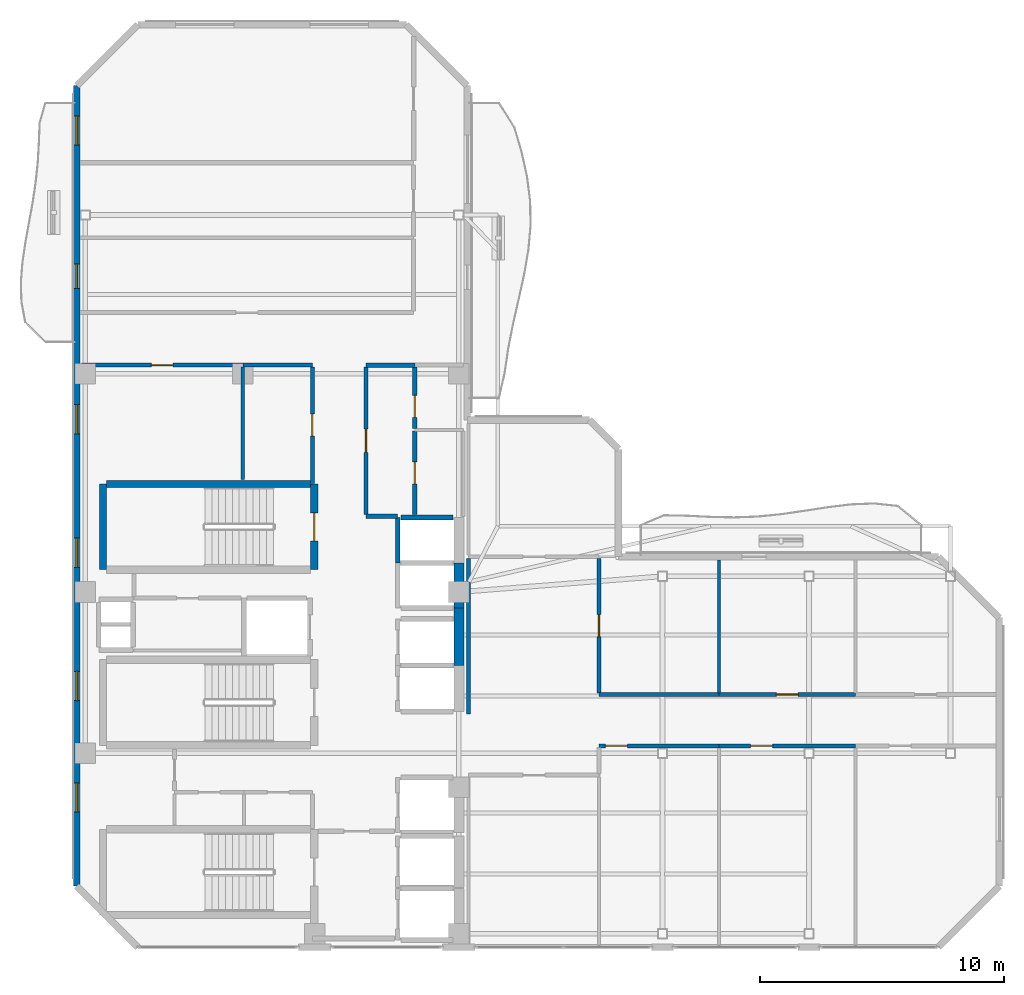
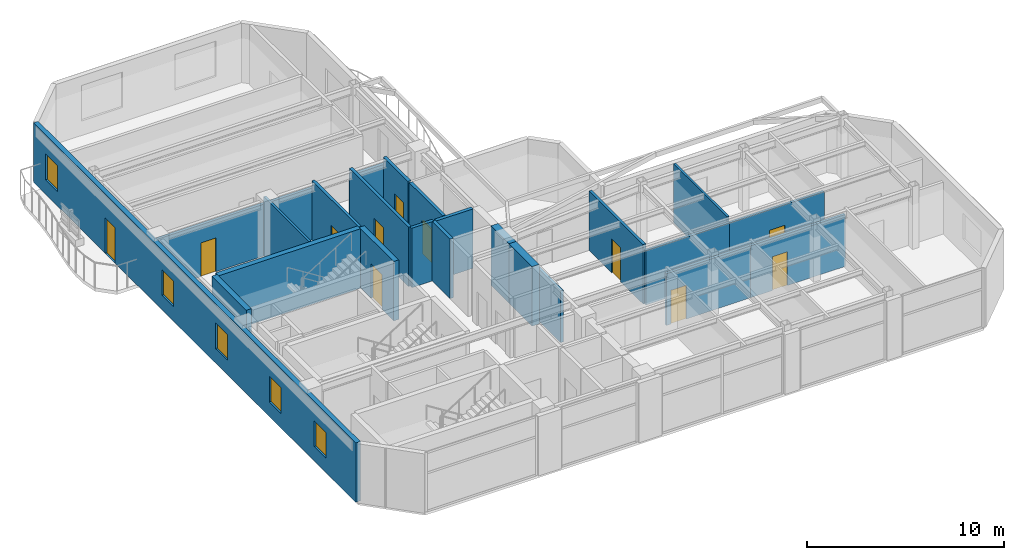
# One storey, part 10 of 15: 24 walls, 11 doors, 5 windows, 16 openings.
"""IFC4 building model written with IfcOpenShell, lengths in metres."""

from ifc_helpers import new_model, si_unit, direction, frame, frame_2d, origin, place, context, subcontext, project, spatial, rectangle, extrude, material, layer, layer_set, type_object, element, fill, save


model = new_model("IFC4")

# Units and contexts
model_context = context("Model", 3, precision=1e-05, world=origin(), true_north=direction((0.0, 1.0)))
body_context = subcontext(model_context, "Body", "Model", "MODEL_VIEW")
ifc_project = project(units=[si_unit("LENGTHUNIT", "METRE"), si_unit("AREAUNIT", "SQUARE_METRE"), si_unit("VOLUMEUNIT", "CUBIC_METRE"), si_unit("PLANEANGLEUNIT", "RADIAN"), si_unit("MASSUNIT", "GRAM", prefix="KILO")], contexts=[model_context])

# Site, building, storey
site_placement = place(None, origin())
site = spatial("IfcSite", under=ifc_project, at=site_placement, CompositionType="ELEMENT")
building_placement = place(site_placement, origin())
building = spatial("IfcBuilding", under=site, at=building_placement, Name="Mawjaban Terraces University", CompositionType="ELEMENT")
storey_placement = place(building_placement, frame((0.0, 0.0, 295.0)))
storey = spatial("IfcBuildingStorey", under=building, at=storey_placement, Name="L72", CompositionType="ELEMENT", Elevation=295.0)

# Walls
ifc_material_1 = material(Name="Acoustic masonry blockwork", Category="masonry")
ifc_layer_1 = layer(ifc_material_1, 0.179931640625)
ifc_layer_set_1 = layer_set([ifc_layer_1], Name="Acoustic masonry blockwork")
wall_type_1 = type_object("IfcWallType", Name="AcousticStudioWall_180", PredefinedType="PARTITIONING", material=ifc_layer_set_1)
wall_1_placement = place(storey_placement, frame((33.85009765625, 17.64990234375, 0.0), z_axis=(0.0, 0.0, 1.0), x_axis=(1.0, 0.0, 0.0)))
element("IfcWall", 1, at=wall_1_placement, inside=storey, type_object=wall_type_1, Name="L72 Graduate Research Collaboration Studio Partition 8", PredefinedType="PARTITIONING", context=body_context, shape_type="SweptSolid", body=[
    extrude(rectangle(XDim=1.2998046875, YDim=0.179931640625, at=frame_2d((0.64990234375, 0.0))), origin(), (0.0, 0.0, 1.0), 3.68994140625),
])
wall_2_placement = place(storey_placement, frame((35.85009765625, 23.85009765625, 0.0), z_axis=(0.0, 0.0, 1.0), x_axis=(-1.0, 0.0, 0.0)))
element("IfcWall", 2, at=wall_2_placement, inside=storey, type_object=wall_type_1, Name="L72 Graduate Research Collaboration Studio Partition 14", PredefinedType="PARTITIONING", context=body_context, shape_type="SweptSolid", body=[
    extrude(rectangle(XDim=2.0, YDim=0.179931640625, at=frame_2d((1.0, 0.0))), origin(), (0.0, 0.0, 1.0), 3.220947265625),
])

# Wall, opening, door
wall_3_placement = place(storey_placement, frame((33.85009765625, 17.735107421875, 0.0), z_axis=(0.0, 0.0, 1.0), x_axis=(0.0, 1.0, 0.0)))
wall_3 = element("IfcWall", 3, at=wall_3_placement, inside=storey, type_object=wall_type_1, Name="L72 Core North Lift Lobby Partition 31", PredefinedType="PARTITIONING", context=body_context, shape_type="SweptSolid", body=[
    extrude(rectangle(XDim=6.02978515625, YDim=0.179931640625, at=frame_2d((3.014892578125, 0.0))), origin(), (0.0, 0.0, 1.0), 3.68994140625),
])
opening_1_placement = place(wall_3_placement, frame((2.5400390625, 0.0, 0.0)))
opening_1 = element("IfcOpeningElement", 4, at=opening_1_placement, cuts=wall_3, Name="Opening ID-095", PredefinedType="OPENING", context=body_context, shape_type="SweptSolid", body=[
    extrude(rectangle(XDim=0.949951171875, YDim=2.10009765625, at=frame_2d((0.47509765625, 1.050048828125))), frame((0.0, 0.099853515625, 0.0), z_axis=(0.0, -1.0, 0.0), x_axis=(1.0, 0.0, 0.0)), (0.0, 0.0, 1.0), 0.199951171875),
])
ifc_material_2 = material(Name="Powder-coated steel frame and solid acoustic timber leaf", Category="steel")
door_type_1 = type_object("IfcDoorType", Name="StudioDoor_950x2100", OperationType="NOTDEFINED", PredefinedType="DOOR", material=ifc_material_2)
door_1_placement = place(opening_1_placement, origin())
door_1 = element("IfcDoor", 5, at=door_1_placement, inside=storey, type_object=door_type_1, Name="L72 Graduate Research Collaboration Studio Door", OperationType="SINGLE_SWING_RIGHT", OverallHeight=2.10009765625, OverallWidth=0.949951171875, PredefinedType="DOOR", context=body_context, shape_type="SweptSolid", body=[
    extrude(rectangle(XDim=0.949951171875, YDim=2.10009765625, at=frame_2d((0.47509765625, 1.050048828125))), frame((0.0, 0.02490234375, 0.0), z_axis=(0.0, -1.0, 0.0), x_axis=(1.0, 0.0, 0.0)), (0.0, 0.0, 1.0), 0.050048828125),
])
fill(opening_1, door_1)

wall_4_placement = place(storey_placement, frame((35.85009765625, 17.72998046875, 0.0), z_axis=(0.0, 0.0, 1.0), x_axis=(0.0, 1.0, 0.0)))
wall_4 = element("IfcWall", 6, at=wall_4_placement, inside=storey, type_object=wall_type_1, Name="L72 Graduate Research Collaboration Studio Partition 35", PredefinedType="PARTITIONING", context=body_context, shape_type="SweptSolid", body=[
    extrude(rectangle(XDim=3.412109375, YDim=0.179931640625, at=frame_2d((1.7060546875, 0.0))), origin(), (0.0, 0.0, 1.0), 3.68994140625),
])
opening_2_placement = place(wall_4_placement, frame((1.256103515625, 0.0, 0.0)))
opening_2 = element("IfcOpeningElement", 7, at=opening_2_placement, cuts=wall_4, Name="Opening ID-090", PredefinedType="OPENING", context=body_context, shape_type="SweptSolid", body=[
    extrude(rectangle(XDim=0.89990234375, YDim=2.10009765625, at=frame_2d((0.449951171875, 1.050048828125))), frame((0.0, 0.099853515625, 0.0), z_axis=(0.0, -1.0, 0.0), x_axis=(1.0, 0.0, 0.0)), (0.0, 0.0, 1.0), 0.199951171875),
])
door_type_2 = type_object("IfcDoorType", Name="OfficeDoor_900x2100", OperationType="NOTDEFINED", PredefinedType="DOOR", material=ifc_material_2)
door_2_placement = place(opening_2_placement, origin())
door_2 = element("IfcDoor", 8, at=door_2_placement, inside=storey, type_object=door_type_2, Name="L72 Research Instrument Store Door", OperationType="SINGLE_SWING_RIGHT", OverallHeight=2.10009765625, OverallWidth=0.89990234375, PredefinedType="DOOR", context=body_context, shape_type="SweptSolid", body=[
    extrude(rectangle(XDim=0.89990234375, YDim=2.10009765625, at=frame_2d((0.449951171875, 1.050048828125))), frame((0.0, 0.02490234375, 0.0), z_axis=(0.0, -1.0, 0.0), x_axis=(1.0, 0.0, 0.0)), (0.0, 0.0, 1.0), 0.050048828125),
])
fill(opening_2, door_2)

wall_5_placement = place(storey_placement, frame((35.85009765625, 21.258056640625, 0.0), z_axis=(0.0, 0.0, 1.0), x_axis=(0.0, 1.0, 0.0)))
wall_5 = element("IfcWall", 9, at=wall_5_placement, inside=storey, type_object=wall_type_1, Name="L72 Graduate Research Collaboration Studio Partition 36", PredefinedType="PARTITIONING", context=body_context, shape_type="SweptSolid", body=[
    extrude(rectangle(XDim=2.5068359375, YDim=0.179931640625, at=frame_2d((1.25341796875, 0.0))), origin(), (0.0, 0.0, 1.0), 3.68994140625),
])
opening_3_placement = place(wall_5_placement, frame((0.4541015625, 0.0, 0.0)))
opening_3 = element("IfcOpeningElement", 10, at=opening_3_placement, cuts=wall_5, Name="Opening ID-090", PredefinedType="OPENING", context=body_context, shape_type="SweptSolid", body=[
    extrude(rectangle(XDim=0.89990234375, YDim=2.10009765625, at=frame_2d((0.449951171875, 1.050048828125))), frame((0.0, 0.099853515625, 0.0), z_axis=(0.0, -1.0, 0.0), x_axis=(1.0, 0.0, 0.0)), (0.0, 0.0, 1.0), 0.199951171875),
])
door_3_placement = place(opening_3_placement, origin())
door_3 = element("IfcDoor", 11, at=door_3_placement, inside=storey, type_object=door_type_2, Name="L72 Graduate Quiet Study Alcove Door", OperationType="SINGLE_SWING_LEFT", OverallHeight=2.10009765625, OverallWidth=0.89990234375, PredefinedType="DOOR", context=body_context, shape_type="SweptSolid", body=[
    extrude(rectangle(XDim=0.89990234375, YDim=2.10009765625, at=frame_2d((0.449951171875, 1.050048828125))), frame((0.0, 0.02490234375, 0.0), z_axis=(0.0, -1.0, 0.0), x_axis=(1.0, 0.0, 0.0)), (0.0, 0.0, 1.0), 0.050048828125),
])
fill(opening_3, door_3)

# Walls
ifc_material_3 = material(Name="Concrete C50/60", Category="concrete")
ifc_layer_2 = layer(ifc_material_3, 0.419921875)
ifc_layer_set_2 = layer_set([ifc_layer_2], Name="Concrete C50/60")
wall_type_2 = type_object("IfcWallType", Name="CoreShearWall_420", PredefinedType="SHEAR", material=ifc_layer_set_2)
wall_6_placement = place(storey_placement, frame((37.659912109375, 11.550048828125, 0.0), z_axis=(0.0, 0.0, 1.0), x_axis=(0.0, 1.0, 0.0)))
element("IfcWall", 12, at=wall_6_placement, inside=storey, type_object=wall_type_2, Name="L72 Lift PL-H2 Hoistway Wall East", PredefinedType="SHEAR", context=body_context, shape_type="SweptSolid", body=[
    extrude(rectangle(XDim=2.349853515625, YDim=0.419921875, at=frame_2d((1.1748046875, 0.0))), origin(), (0.0, 0.0, 1.0), 3.68994140625),
])
wall_7_placement = place(storey_placement, frame((37.659912109375, 13.89990234375, 0.0), z_axis=(0.0, 0.0, 1.0), x_axis=(0.0, 1.0, 0.0)))
element("IfcWall", 13, at=wall_7_placement, inside=storey, type_object=wall_type_2, Name="L72 Lift OL-1 Hoistway Wall East", PredefinedType="SHEAR", context=body_context, shape_type="SweptSolid", body=[
    extrude(rectangle(XDim=1.85009765625, YDim=0.419921875, at=frame_2d((0.925048828125, 0.0))), origin(), (0.0, 0.0, 1.0), 3.68994140625),
])

# Wall, opening, door
ifc_material_4 = material(Name="Fire-rated gypsum board on steel stud", Category="steel")
ifc_layer_3 = layer(ifc_material_4, 0.159912109375)
ifc_layer_set_3 = layer_set([ifc_layer_3], Name="Fire-rated gypsum board on steel stud")
wall_type_3 = type_object("IfcWallType", Name="CorridorPartition_160", PredefinedType="PARTITIONING", material=ifc_layer_set_3)
wall_8_placement = place(storey_placement, frame((28.800048828125, 23.85009765625, 0.0), z_axis=(0.0, 0.0, 1.0), x_axis=(-1.0, 0.0, 0.0)))
wall_8 = element("IfcWall", 14, at=wall_8_placement, inside=storey, type_object=wall_type_3, Name="L72 Female Toilet Partition 4", PredefinedType="PARTITIONING", context=body_context, shape_type="SweptSolid", body=[
    extrude(rectangle(XDim=6.60009765625, YDim=0.159912109375, at=frame_2d((3.300048828125, 0.0))), origin(), (0.0, 0.0, 1.0), 3.220947265625),
])
opening_4_placement = place(wall_8_placement, frame((2.860107421875, 0.0, 0.0)))
opening_4 = element("IfcOpeningElement", 15, at=opening_4_placement, cuts=wall_8, Name="Opening ID-088", PredefinedType="OPENING", context=body_context, shape_type="SweptSolid", body=[
    extrude(rectangle(XDim=0.8798828125, YDim=2.10009765625, at=frame_2d((0.43994140625, 1.050048828125))), frame((0.0, 0.08984375, 0.0), z_axis=(0.0, -1.0, 0.0), x_axis=(1.0, 0.0, 0.0)), (0.0, 0.0, 1.0), 0.179931640625),
])
door_type_3 = type_object("IfcDoorType", Name="ToiletDoor_880x2100", OperationType="NOTDEFINED", PredefinedType="DOOR", material=ifc_material_2)
door_4_placement = place(opening_4_placement, origin())
door_4 = element("IfcDoor", 16, at=door_4_placement, inside=storey, type_object=door_type_3, Name="L72 Female Toilet Door", OperationType="SINGLE_SWING_RIGHT", OverallHeight=2.10009765625, OverallWidth=0.8798828125, PredefinedType="DOOR", context=body_context, shape_type="SweptSolid", body=[
    extrude(rectangle(XDim=0.8798828125, YDim=2.10009765625, at=frame_2d((0.43994140625, 1.050048828125))), frame((0.0, 0.02490234375, 0.0), z_axis=(0.0, -1.0, 0.0), x_axis=(1.0, 0.0, 0.0)), (0.0, 0.0, 1.0), 0.050048828125),
])
fill(opening_4, door_4)

# Wall
wall_9_placement = place(storey_placement, frame((31.64990234375, 23.85009765625, 0.0), z_axis=(0.0, 0.0, 1.0), x_axis=(-1.0, 0.0, 0.0)))
element("IfcWall", 17, at=wall_9_placement, inside=storey, type_object=wall_type_3, Name="L72 Faculty Academic Resource Office Partition 7", PredefinedType="PARTITIONING", context=body_context, shape_type="SweptSolid", body=[
    extrude(rectangle(XDim=2.849853515625, YDim=0.159912109375, at=frame_2d((1.4248046875, 0.0))), origin(), (0.0, 0.0, 1.0), 3.220947265625),
])

# Wall, opening, door
wall_10_placement = place(storey_placement, frame((43.39990234375, 8.25, 0.0), z_axis=(0.0, 0.0, 1.0), x_axis=(1.0, 0.0, 0.0)))
wall_10 = element("IfcWall", 18, at=wall_10_placement, inside=storey, type_object=wall_type_3, Name="L72 Upper East Research Corridor Partition 17", PredefinedType="PARTITIONING", context=body_context, shape_type="SweptSolid", body=[
    extrude(rectangle(XDim=4.920166015625, YDim=0.159912109375, at=frame_2d((2.4599609375, 0.0))), origin(), (0.0, 0.0, 1.0), 3.220947265625),
])
opening_5_placement = place(wall_10_placement, frame((0.260009765625, 0.0, 0.0)))
opening_5 = element("IfcOpeningElement", 19, at=opening_5_placement, cuts=wall_10, Name="Opening ID-090", PredefinedType="OPENING", context=body_context, shape_type="SweptSolid", body=[
    extrude(rectangle(XDim=0.89990234375, YDim=2.10009765625, at=frame_2d((0.449951171875, 1.050048828125))), frame((0.0, 0.08984375, 0.0), z_axis=(0.0, -1.0, 0.0), x_axis=(1.0, 0.0, 0.0)), (0.0, 0.0, 1.0), 0.179931640625),
])
door_5_placement = place(opening_5_placement, origin())
door_5 = element("IfcDoor", 20, at=door_5_placement, inside=storey, type_object=door_type_2, Name="L72 Academic Counseling Room 2 Door", OperationType="SINGLE_SWING_RIGHT", OverallHeight=2.10009765625, OverallWidth=0.89990234375, PredefinedType="DOOR", context=body_context, shape_type="SweptSolid", body=[
    extrude(rectangle(XDim=0.89990234375, YDim=2.10009765625, at=frame_2d((0.449951171875, 1.050048828125))), frame((0.0, 0.02490234375, 0.0), z_axis=(0.0, -1.0, 0.0), x_axis=(1.0, 0.0, 0.0)), (0.0, 0.0, 1.0), 0.050048828125),
])
fill(opening_5, door_5)

wall_11_placement = place(storey_placement, frame((48.320068359375, 8.25, 0.0), z_axis=(0.0, 0.0, 1.0), x_axis=(1.0, 0.0, 0.0)))
wall_11 = element("IfcWall", 21, at=wall_11_placement, inside=storey, type_object=wall_type_3, Name="L72 Upper East Research Corridor Partition 19", PredefinedType="PARTITIONING", context=body_context, shape_type="SweptSolid", body=[
    extrude(rectangle(XDim=5.579833984375, YDim=0.159912109375, at=frame_2d((2.7900390625, 0.0))), origin(), (0.0, 0.0, 1.0), 3.220947265625),
])
opening_6_placement = place(wall_11_placement, frame((1.2900390625, 0.0, 0.0)))
opening_6 = element("IfcOpeningElement", 22, at=opening_6_placement, cuts=wall_11, Name="Opening ID-090", PredefinedType="OPENING", context=body_context, shape_type="SweptSolid", body=[
    extrude(rectangle(XDim=0.89990234375, YDim=2.10009765625, at=frame_2d((0.449951171875, 1.050048828125))), frame((0.0, 0.08984375, 0.0), z_axis=(0.0, -1.0, 0.0), x_axis=(1.0, 0.0, 0.0)), (0.0, 0.0, 1.0), 0.179931640625),
])
door_6_placement = place(opening_6_placement, origin())
door_6 = element("IfcDoor", 23, at=door_6_placement, inside=storey, type_object=door_type_2, Name="L72 Academic Counseling Room 4 Door", OperationType="SINGLE_SWING_RIGHT", OverallHeight=2.10009765625, OverallWidth=0.89990234375, PredefinedType="DOOR", context=body_context, shape_type="SweptSolid", body=[
    extrude(rectangle(XDim=0.89990234375, YDim=2.10009765625, at=frame_2d((0.449951171875, 1.050048828125))), frame((0.0, 0.02490234375, 0.0), z_axis=(0.0, -1.0, 0.0), x_axis=(1.0, 0.0, 0.0)), (0.0, 0.0, 1.0), 0.050048828125),
])
fill(opening_6, door_6)

# Wall
wall_12_placement = place(storey_placement, frame((48.320068359375, 10.35009765625, 0.0), z_axis=(0.0, 0.0, 1.0), x_axis=(-1.0, 0.0, 0.0)))
element("IfcWall", 24, at=wall_12_placement, inside=storey, type_object=wall_type_3, Name="L72 Upper East Research Corridor Partition 20", PredefinedType="PARTITIONING", context=body_context, shape_type="SweptSolid", body=[
    extrude(rectangle(XDim=4.920166015625, YDim=0.159912109375, at=frame_2d((2.4599609375, 0.0))), origin(), (0.0, 0.0, 1.0), 3.3720703125),
])

# Wall, opening, door
wall_13_placement = place(storey_placement, frame((53.89990234375, 10.35009765625, 0.0), z_axis=(0.0, 0.0, 1.0), x_axis=(-1.0, 0.0, 0.0)))
wall_13 = element("IfcWall", 25, at=wall_13_placement, inside=storey, type_object=wall_type_3, Name="L72 Upper East Research Corridor Partition 22", PredefinedType="PARTITIONING", context=body_context, shape_type="SweptSolid", body=[
    extrude(rectangle(XDim=5.579833984375, YDim=0.159912109375, at=frame_2d((2.7900390625, 0.0))), origin(), (0.0, 0.0, 1.0), 3.3720703125),
])
opening_7_placement = place(wall_13_placement, frame((2.340087890625, 0.0, 0.0)))
opening_7 = element("IfcOpeningElement", 26, at=opening_7_placement, cuts=wall_13, Name="Opening ID-090", PredefinedType="OPENING", context=body_context, shape_type="SweptSolid", body=[
    extrude(rectangle(XDim=0.89990234375, YDim=2.10009765625, at=frame_2d((0.449951171875, 1.050048828125))), frame((0.0, 0.08984375, 0.0), z_axis=(0.0, -1.0, 0.0), x_axis=(1.0, 0.0, 0.0)), (0.0, 0.0, 1.0), 0.179931640625),
])
door_7_placement = place(opening_7_placement, origin())
door_7 = element("IfcDoor", 27, at=door_7_placement, inside=storey, type_object=door_type_2, Name="L72 Faculty Office 5 Door", OperationType="SINGLE_SWING_LEFT", OverallHeight=2.10009765625, OverallWidth=0.89990234375, PredefinedType="DOOR", context=body_context, shape_type="SweptSolid", body=[
    extrude(rectangle(XDim=0.89990234375, YDim=2.10009765625, at=frame_2d((0.449951171875, 1.050048828125))), frame((0.0, 0.02490234375, 0.0), z_axis=(0.0, -1.0, 0.0), x_axis=(1.0, 0.0, 0.0)), (0.0, 0.0, 1.0), 0.050048828125),
])
fill(opening_7, door_7)

wall_14_placement = place(storey_placement, frame((31.64990234375, 19.010009765625, 0.0), z_axis=(0.0, 0.0, 1.0), x_axis=(0.0, 1.0, 0.0)))
wall_14 = element("IfcWall", 28, at=wall_14_placement, inside=storey, type_object=wall_type_3, Name="L72 Faculty Academic Resource Office Partition 30", PredefinedType="PARTITIONING", context=body_context, shape_type="SweptSolid", body=[
    extrude(rectangle(XDim=4.764892578125, YDim=0.159912109375, at=frame_2d((2.38232421875, 0.0))), origin(), (0.0, 0.0, 1.0), 3.68994140625),
])
opening_8_placement = place(wall_14_placement, frame((1.931884765625, 0.0, 0.0)))
opening_8 = element("IfcOpeningElement", 29, at=opening_8_placement, cuts=wall_14, Name="Opening ID-090", PredefinedType="OPENING", context=body_context, shape_type="SweptSolid", body=[
    extrude(rectangle(XDim=0.89990234375, YDim=2.10009765625, at=frame_2d((0.449951171875, 1.050048828125))), frame((0.0, 0.08984375, 0.0), z_axis=(0.0, -1.0, 0.0), x_axis=(1.0, 0.0, 0.0)), (0.0, 0.0, 1.0), 0.179931640625),
])
door_8_placement = place(opening_8_placement, origin())
door_8 = element("IfcDoor", 30, at=door_8_placement, inside=storey, type_object=door_type_2, Name="L72 Faculty Academic Resource Office Door", OperationType="SINGLE_SWING_LEFT", OverallHeight=2.10009765625, OverallWidth=0.89990234375, PredefinedType="DOOR", context=body_context, shape_type="SweptSolid", body=[
    extrude(rectangle(XDim=0.89990234375, YDim=2.10009765625, at=frame_2d((0.449951171875, 1.050048828125))), frame((0.0, 0.02490234375, 0.0), z_axis=(0.0, -1.0, 0.0), x_axis=(1.0, 0.0, 0.0)), (0.0, 0.0, 1.0), 0.050048828125),
])
fill(opening_8, door_8)

# Wall
wall_15_placement = place(storey_placement, frame((38.050048828125, 15.925048828125, 0.0), z_axis=(0.0, 0.0, 1.0), x_axis=(0.0, -1.0, 0.0)))
element("IfcWall", 31, at=wall_15_placement, inside=storey, type_object=wall_type_3, Name="L72 Upper Research Hub Concourse Partition 39", PredefinedType="PARTITIONING", context=body_context, shape_type="SweptSolid", body=[
    extrude(rectangle(XDim=6.375, YDim=0.159912109375, at=frame_2d((3.1875, 0.0))), origin(), (0.0, 0.0, 1.0), 3.220947265625),
])

# Wall, opening, door
wall_16_placement = place(storey_placement, frame((43.39990234375, 10.425048828125, 0.0), z_axis=(0.0, 0.0, 1.0), x_axis=(0.0, 1.0, 0.0)))
wall_16 = element("IfcWall", 32, at=wall_16_placement, inside=storey, type_object=wall_type_3, Name="L72 Upper Research Hub Concourse Partition 43", PredefinedType="PARTITIONING", context=body_context, shape_type="SweptSolid", body=[
    extrude(rectangle(XDim=5.5, YDim=0.159912109375, at=frame_2d((2.75, 0.0))), origin(), (0.0, 0.0, 1.0), 3.68994140625),
])
opening_9_placement = place(wall_16_placement, frame((2.300048828125, 0.0, 0.0)))
opening_9 = element("IfcOpeningElement", 33, at=opening_9_placement, cuts=wall_16, Name="Opening ID-090", PredefinedType="OPENING", context=body_context, shape_type="SweptSolid", body=[
    extrude(rectangle(XDim=0.89990234375, YDim=2.10009765625, at=frame_2d((0.449951171875, 1.050048828125))), frame((0.0, 0.08984375, 0.0), z_axis=(0.0, -1.0, 0.0), x_axis=(1.0, 0.0, 0.0)), (0.0, 0.0, 1.0), 0.179931640625),
])
door_9_placement = place(opening_9_placement, origin())
door_9 = element("IfcDoor", 34, at=door_9_placement, inside=storey, type_object=door_type_2, Name="L72 Academic Counseling Room 3 Door", OperationType="SINGLE_SWING_LEFT", OverallHeight=2.10009765625, OverallWidth=0.89990234375, PredefinedType="DOOR", context=body_context, shape_type="SweptSolid", body=[
    extrude(rectangle(XDim=0.89990234375, YDim=2.10009765625, at=frame_2d((0.449951171875, 1.050048828125))), frame((0.0, 0.02490234375, 0.0), z_axis=(0.0, -1.0, 0.0), x_axis=(1.0, 0.0, 0.0)), (0.0, 0.0, 1.0), 0.050048828125),
])
fill(opening_9, door_9)

# Wall, openings, door, windows
ifc_material_5 = material(Name="Insulated terracotta rainscreen on concrete backup C40/50", Category="masonry")
ifc_layer_4 = layer(ifc_material_5, 0.27490234375)
ifc_layer_set_4 = layer_set([ifc_layer_4], Name="Insulated terracotta rainscreen on concrete backup C40/50")
wall_type_4 = type_object("IfcWallType", Name="ExtTerracottaWall_275", PredefinedType="SOLIDWALL", material=ifc_layer_set_4)
wall_17_placement = place(storey_placement, frame((22.0, 35.300048828125, 0.0), z_axis=(0.0, 0.0, 1.0), x_axis=(0.0, -1.0, 0.0)))
wall_17 = element("IfcWall", 35, at=wall_17_placement, inside=storey, type_object=wall_type_4, Name="L72 Exterior Terracotta Wall 13", PredefinedType="SOLIDWALL", context=body_context, shape_type="SweptSolid", body=[
    extrude(rectangle(XDim=32.800048828125, YDim=0.27490234375, at=frame_2d((16.39990234375, 0.0))), origin(), (0.0, 0.0, 1.0), 3.68994140625),
])
opening_10_placement = place(wall_17_placement, frame((7.300048828125, 0.0, 0.0)))
opening_10 = element("IfcOpeningElement", 36, at=opening_10_placement, cuts=wall_17, Name="Opening BD-100", PredefinedType="OPENING", context=body_context, shape_type="SweptSolid", body=[
    extrude(rectangle(XDim=1.0, YDim=2.199951171875, at=frame_2d((0.5, 1.10009765625))), frame((0.0, 0.1474609375, 0.0), z_axis=(0.0, -1.0, 0.0), x_axis=(1.0, 0.0, 0.0)), (0.0, 0.0, 1.0), 0.294921875),
])
opening_11_placement = place(wall_17_placement, frame((1.23291015625, 0.0, 0.89990234375)))
opening_11 = element("IfcOpeningElement", 37, at=opening_11_placement, cuts=wall_17, Name="Opening W-01", PredefinedType="OPENING", context=body_context, shape_type="SweptSolid", body=[
    extrude(rectangle(XDim=1.199951171875, YDim=1.60009765625, at=frame_2d((0.60009765625, 0.800048828125))), frame((0.0, 0.1474609375, 0.0), z_axis=(0.0, -1.0, 0.0), x_axis=(1.0, 0.0, 0.0)), (0.0, 0.0, 1.0), 0.294921875),
])
opening_12_placement = place(wall_17_placement, frame((13.06689453125, 0.0, 0.89990234375)))
opening_12 = element("IfcOpeningElement", 38, at=opening_12_placement, cuts=wall_17, Name="Opening W-01", PredefinedType="OPENING", context=body_context, shape_type="SweptSolid", body=[
    extrude(rectangle(XDim=1.199951171875, YDim=1.60009765625, at=frame_2d((0.60009765625, 0.800048828125))), frame((0.0, 0.1474609375, 0.0), z_axis=(0.0, -1.0, 0.0), x_axis=(1.0, 0.0, 0.0)), (0.0, 0.0, 1.0), 0.294921875),
])
opening_13_placement = place(wall_17_placement, frame((18.532958984375, 0.0, 0.89990234375)))
opening_13 = element("IfcOpeningElement", 39, at=opening_13_placement, cuts=wall_17, Name="Opening W-01", PredefinedType="OPENING", context=body_context, shape_type="SweptSolid", body=[
    extrude(rectangle(XDim=1.199951171875, YDim=1.60009765625, at=frame_2d((0.60009765625, 0.800048828125))), frame((0.0, 0.1474609375, 0.0), z_axis=(0.0, -1.0, 0.0), x_axis=(1.0, 0.0, 0.0)), (0.0, 0.0, 1.0), 0.294921875),
])
opening_14_placement = place(wall_17_placement, frame((24.0, 0.0, 0.89990234375)))
opening_14 = element("IfcOpeningElement", 40, at=opening_14_placement, cuts=wall_17, Name="Opening W-01", PredefinedType="OPENING", context=body_context, shape_type="SweptSolid", body=[
    extrude(rectangle(XDim=1.199951171875, YDim=1.60009765625, at=frame_2d((0.60009765625, 0.800048828125))), frame((0.0, 0.1474609375, 0.0), z_axis=(0.0, -1.0, 0.0), x_axis=(1.0, 0.0, 0.0)), (0.0, 0.0, 1.0), 0.294921875),
])
opening_15_placement = place(wall_17_placement, frame((28.56689453125, 0.0, 0.89990234375)))
opening_15 = element("IfcOpeningElement", 41, at=opening_15_placement, cuts=wall_17, Name="Opening W-01", PredefinedType="OPENING", context=body_context, shape_type="SweptSolid", body=[
    extrude(rectangle(XDim=1.199951171875, YDim=1.60009765625, at=frame_2d((0.60009765625, 0.800048828125))), frame((0.0, 0.1474609375, 0.0), z_axis=(0.0, -1.0, 0.0), x_axis=(1.0, 0.0, 0.0)), (0.0, 0.0, 1.0), 0.294921875),
])
ifc_material_6 = material(Name="Thermally broken anodised aluminium and laminated safety glass", Category="aluminium")
door_type_4 = type_object("IfcDoorType", Name="BalconyGlazedDoor_1000x2200", OperationType="NOTDEFINED", PredefinedType="DOOR", material=ifc_material_6)
door_10_placement = place(opening_10_placement, origin())
door_10 = element("IfcDoor", 42, at=door_10_placement, inside=storey, type_object=door_type_4, Name="L72 Balcony Access Door west", OperationType="SINGLE_SWING_LEFT", OverallHeight=2.199951171875, OverallWidth=1.0, PredefinedType="DOOR", context=body_context, shape_type="SweptSolid", body=[
    extrude(rectangle(XDim=1.0, YDim=2.199951171875, at=frame_2d((0.5, 1.10009765625))), frame((0.0, 0.02490234375, 0.0), z_axis=(0.0, -1.0, 0.0), x_axis=(1.0, 0.0, 0.0)), (0.0, 0.0, 1.0), 0.050048828125),
])
fill(opening_10, door_10)
ifc_material_7 = material(Name="Low-E solar-control double glazing in thermally broken aluminium frame", Category="aluminium")
window_type = type_object("IfcWindowType", Name="Win_1200x1600", PartitioningType="SINGLE_PANEL", PredefinedType="WINDOW", material=ifc_material_7)
window_1_placement = place(opening_11_placement, origin())
window_1 = element("IfcWindow", 43, at=window_1_placement, inside=storey, type_object=window_type, Name="L72 Facade Window 13.1", OverallHeight=1.60009765625, OverallWidth=1.199951171875, PartitioningType="SINGLE_PANEL", PredefinedType="WINDOW", context=body_context, shape_type="SweptSolid", body=[
    extrude(rectangle(XDim=1.199951171875, YDim=1.60009765625, at=frame_2d((0.60009765625, 0.800048828125))), frame((0.0, 0.030029296875, 0.0), z_axis=(0.0, -1.0, 0.0), x_axis=(1.0, 0.0, 0.0)), (0.0, 0.0, 1.0), 0.06005859375),
])
fill(opening_11, window_1)
window_2_placement = place(opening_12_placement, origin())
window_2 = element("IfcWindow", 44, at=window_2_placement, inside=storey, type_object=window_type, Name="L72 Facade Window 13.3", OverallHeight=1.60009765625, OverallWidth=1.199951171875, PartitioningType="SINGLE_PANEL", PredefinedType="WINDOW", context=body_context, shape_type="SweptSolid", body=[
    extrude(rectangle(XDim=1.199951171875, YDim=1.60009765625, at=frame_2d((0.60009765625, 0.800048828125))), frame((0.0, 0.030029296875, 0.0), z_axis=(0.0, -1.0, 0.0), x_axis=(1.0, 0.0, 0.0)), (0.0, 0.0, 1.0), 0.06005859375),
])
fill(opening_12, window_2)
window_3_placement = place(opening_13_placement, origin())
window_3 = element("IfcWindow", 45, at=window_3_placement, inside=storey, type_object=window_type, Name="L72 Facade Window 13.4", OverallHeight=1.60009765625, OverallWidth=1.199951171875, PartitioningType="SINGLE_PANEL", PredefinedType="WINDOW", context=body_context, shape_type="SweptSolid", body=[
    extrude(rectangle(XDim=1.199951171875, YDim=1.60009765625, at=frame_2d((0.60009765625, 0.800048828125))), frame((0.0, 0.030029296875, 0.0), z_axis=(0.0, -1.0, 0.0), x_axis=(1.0, 0.0, 0.0)), (0.0, 0.0, 1.0), 0.06005859375),
])
fill(opening_13, window_3)
window_4_placement = place(opening_14_placement, origin())
window_4 = element("IfcWindow", 46, at=window_4_placement, inside=storey, type_object=window_type, Name="L72 Facade Window 13.5", OverallHeight=1.60009765625, OverallWidth=1.199951171875, PartitioningType="SINGLE_PANEL", PredefinedType="WINDOW", context=body_context, shape_type="SweptSolid", body=[
    extrude(rectangle(XDim=1.199951171875, YDim=1.60009765625, at=frame_2d((0.60009765625, 0.800048828125))), frame((0.0, 0.030029296875, 0.0), z_axis=(0.0, -1.0, 0.0), x_axis=(1.0, 0.0, 0.0)), (0.0, 0.0, 1.0), 0.06005859375),
])
fill(opening_14, window_4)
window_5_placement = place(opening_15_placement, origin())
window_5 = element("IfcWindow", 47, at=window_5_placement, inside=storey, type_object=window_type, Name="L72 Facade Window 13.6", OverallHeight=1.60009765625, OverallWidth=1.199951171875, PartitioningType="SINGLE_PANEL", PredefinedType="WINDOW", context=body_context, shape_type="SweptSolid", body=[
    extrude(rectangle(XDim=1.199951171875, YDim=1.60009765625, at=frame_2d((0.60009765625, 0.800048828125))), frame((0.0, 0.030029296875, 0.0), z_axis=(0.0, -1.0, 0.0), x_axis=(1.0, 0.0, 0.0)), (0.0, 0.0, 1.0), 0.06005859375),
])
fill(opening_15, window_5)

# Walls
ifc_material_8 = material(Name="Concrete C40/50", Category="concrete")
ifc_layer_5 = layer(ifc_material_8, 0.199951171875)
ifc_layer_set_5 = layer_set([ifc_layer_5], Name="Concrete C40/50")
wall_type_5 = type_object("IfcWallType", Name="FireLobbyWall_200", PredefinedType="SOLIDWALL", material=ifc_layer_set_5)
wall_18_placement = place(storey_placement, frame((35.14990234375, 17.60009765625, 0.0), z_axis=(0.0, 0.0, 1.0), x_axis=(0.0, -1.0, 0.0)))
element("IfcWall", 48, at=wall_18_placement, inside=storey, type_object=wall_type_5, Name="L72 Lift OL-2 Hoistway Wall West", PredefinedType="SOLIDWALL", context=body_context, shape_type="SweptSolid", body=[
    extrude(rectangle(XDim=1.85009765625, YDim=0.199951171875, at=frame_2d((0.925048828125, 0.0))), origin(), (0.0, 0.0, 1.0), 3.68994140625),
])
wall_19_placement = place(storey_placement, frame((37.419921875, 17.60009765625, 0.0), z_axis=(0.0, 0.0, 1.0), x_axis=(-1.0, 0.0, 0.0)))
element("IfcWall", 49, at=wall_19_placement, inside=storey, type_object=wall_type_5, Name="L72 Lift OL-2 Hoistway Wall North", PredefinedType="SOLIDWALL", context=body_context, shape_type="SweptSolid", body=[
    extrude(rectangle(XDim=2.139892578125, YDim=0.199951171875, at=frame_2d((1.06982421875, 0.0))), origin(), (0.0, 0.0, 1.0), 3.68994140625),
])
ifc_material_9 = material(Name="Gypsum plasterboard on steel stud", Category="steel")
ifc_layer_6 = layer(ifc_material_9, 0.125)
ifc_layer_set_6 = layer_set([ifc_layer_6], Name="Gypsum plasterboard on steel stud")
wall_type_6 = type_object("IfcWallType", Name="OfficePartition_125", PredefinedType="PARTITIONING", material=ifc_layer_set_6)
wall_20_placement = place(storey_placement, frame((48.320068359375, 10.425048828125, 0.0), z_axis=(0.0, 0.0, 1.0), x_axis=(0.0, 1.0, 0.0)))
element("IfcWall", 50, at=wall_20_placement, inside=storey, type_object=wall_type_6, Name="L72 Academic Counseling Room 3 Partition 45", PredefinedType="PARTITIONING", context=body_context, shape_type="SweptSolid", body=[
    extrude(rectangle(XDim=5.44189453125, YDim=0.125, at=frame_2d((2.720947265625, 0.0))), origin(), (0.0, 0.0, 1.0), 3.68994140625),
])
ifc_material_10 = material(Name="Concrete C60/75", Category="concrete")
ifc_layer_7 = layer(ifc_material_10, 0.300048828125)
ifc_layer_set_7 = layer_set([ifc_layer_7], Name="Concrete C60/75")
wall_type_7 = type_object("IfcWallType", Name="StairShaftWall_300", PredefinedType="SHEAR", material=ifc_layer_set_7)
wall_21_placement = place(storey_placement, frame((31.580078125, 18.97998046875, 0.0), z_axis=(0.0, 0.0, 1.0), x_axis=(-1.0, 0.0, 0.0)))
element("IfcWall", 51, at=wall_21_placement, inside=storey, type_object=wall_type_7, Name="L72 ST-2 Stair Shaft Wall 1", PredefinedType="SHEAR", context=body_context, shape_type="SweptSolid", body=[
    extrude(rectangle(XDim=8.360107421875, YDim=0.300048828125, at=frame_2d((4.18017578125, 0.0))), origin(), (0.0, 0.0, 1.0), 3.68994140625),
])
wall_22_placement = place(storey_placement, frame((23.070068359375, 18.97998046875, 0.0), z_axis=(0.0, 0.0, 1.0), x_axis=(0.0, -1.0, 0.0)))
element("IfcWall", 52, at=wall_22_placement, inside=storey, type_object=wall_type_7, Name="L72 ST-2 Stair Shaft Wall 2", PredefinedType="SHEAR", context=body_context, shape_type="SweptSolid", body=[
    extrude(rectangle(XDim=3.510009765625, YDim=0.300048828125, at=frame_2d((1.7548828125, 0.0))), origin(), (0.0, 0.0, 1.0), 3.68994140625),
])

# Wall, opening, door
wall_23_placement = place(storey_placement, frame((31.72998046875, 15.469970703125, 0.0), z_axis=(0.0, 0.0, 1.0), x_axis=(0.0, 1.0, 0.0)))
wall_23 = element("IfcWall", 53, at=wall_23_placement, inside=storey, type_object=wall_type_7, Name="L72 ST-2 Stair Shaft Wall 4", PredefinedType="SHEAR", context=body_context, shape_type="SweptSolid", body=[
    extrude(rectangle(XDim=3.510009765625, YDim=0.300048828125, at=frame_2d((1.7548828125, 0.0))), origin(), (0.0, 0.0, 1.0), 3.68994140625),
])
opening_16_placement = place(wall_23_placement, frame((1.179931640625, 0.0, 0.0)))
opening_16 = element("IfcOpeningElement", 54, at=opening_16_placement, cuts=wall_23, Name="Opening FD-115", PredefinedType="OPENING", context=body_context, shape_type="SweptSolid", body=[
    extrude(rectangle(XDim=1.14990234375, YDim=2.14990234375, at=frame_2d((0.574951171875, 1.074951171875))), frame((0.0, 0.159912109375, 0.0), z_axis=(0.0, -1.0, 0.0), x_axis=(1.0, 0.0, 0.0)), (0.0, 0.0, 1.0), 0.320068359375),
])
ifc_material_11 = material(Name="Powder-coated steel frame and fire-rated steel-faced leaf", Category="steel")
door_type_5 = type_object("IfcDoorType", Name="FireStairDoor_1150x2150", OperationType="NOTDEFINED", PredefinedType="DOOR", material=ifc_material_11)
door_11_placement = place(opening_16_placement, origin())
door_11 = element("IfcDoor", 55, at=door_11_placement, inside=storey, type_object=door_type_5, Name="L72 ST-2 Pressurised Stair Fire Door", OperationType="SINGLE_SWING_LEFT", OverallHeight=2.14990234375, OverallWidth=1.14990234375, PredefinedType="DOOR", context=body_context, shape_type="SweptSolid", body=[
    extrude(rectangle(XDim=1.14990234375, YDim=2.14990234375, at=frame_2d((0.574951171875, 1.074951171875))), frame((0.0, 0.02490234375, 0.0), z_axis=(0.0, -1.0, 0.0), x_axis=(1.0, 0.0, 0.0)), (0.0, 0.0, 1.0), 0.050048828125),
])
fill(opening_16, door_11)

# Wall
ifc_material_12 = material(Name="Cement-board wet-room partition", Category="masonry")
ifc_layer_8 = layer(ifc_material_12, 0.135009765625)
ifc_layer_set_8 = layer_set([ifc_layer_8], Name="Cement-board wet-room partition")
wall_type_8 = type_object("IfcWallType", Name="WetRoomPartition_135", PredefinedType="PARTITIONING", material=ifc_layer_set_8)
wall_24_placement = place(storey_placement, frame((28.800048828125, 23.77490234375, 0.0), z_axis=(0.0, 0.0, 1.0), x_axis=(0.0, -1.0, 0.0)))
element("IfcWall", 56, at=wall_24_placement, inside=storey, type_object=wall_type_8, Name="L72 Faculty Academic Resource Office Partition 27", PredefinedType="PARTITIONING", context=body_context, shape_type="SweptSolid", body=[
    extrude(rectangle(XDim=4.614990234375, YDim=0.135009765625, at=frame_2d((2.3076171875, 0.0))), origin(), (0.0, 0.0, 1.0), 3.68994140625),
])

save(model, "model.ifc")
